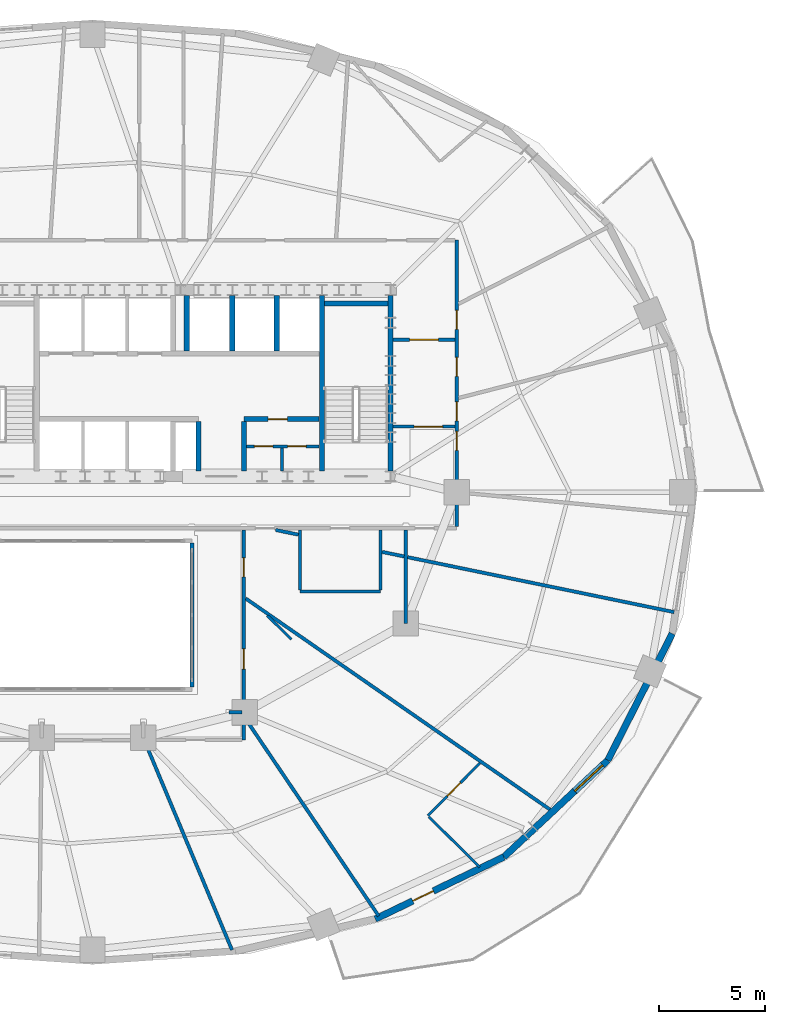
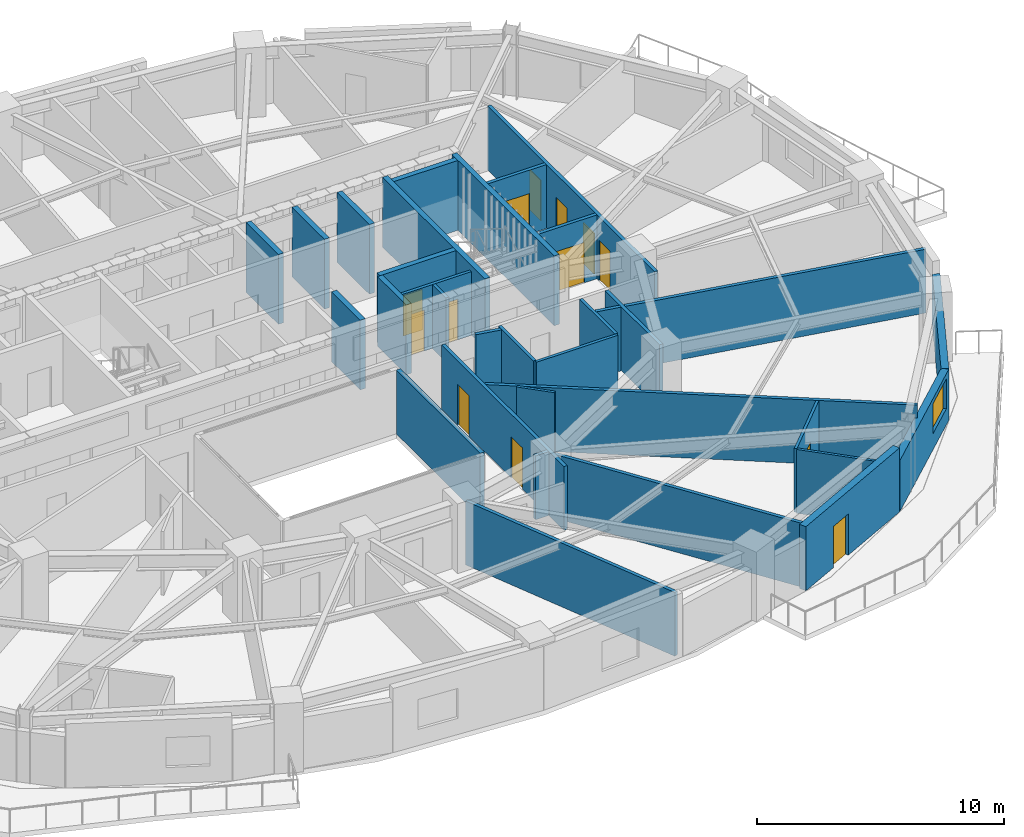
# One storey, part 9 of 14: 33 walls, 13 doors, 1 window, 14 openings.
"""IFC4 building model written with IfcOpenShell, lengths in metres."""

from ifc_helpers import new_model, si_unit, direction, frame, frame_2d, origin, place, context, subcontext, project, spatial, rectangle, extrude, material, layer, layer_set, type_object, element, fill, save


model = new_model("IFC4")

# Units and contexts
model_context = context("Model", 3, precision=1e-05, world=origin(), true_north=direction((0.0, 1.0)))
body_context = subcontext(model_context, "Body", "Model", "MODEL_VIEW")
ifc_project = project(units=[si_unit("LENGTHUNIT", "METRE"), si_unit("AREAUNIT", "SQUARE_METRE"), si_unit("VOLUMEUNIT", "CUBIC_METRE"), si_unit("PLANEANGLEUNIT", "RADIAN"), si_unit("MASSUNIT", "GRAM", prefix="KILO")], contexts=[model_context])

# Site, building, storey
site_placement = place(None, origin())
site = spatial("IfcSite", under=ifc_project, at=site_placement, CompositionType="ELEMENT")
building_placement = place(site_placement, origin())
building = spatial("IfcBuilding", under=site, at=building_placement, Name="Haldorwick Loom Tower", CompositionType="ELEMENT")
storey_placement = place(building_placement, frame((0.0, 0.0, 102.5)))
storey = spatial("IfcBuildingStorey", under=building, at=storey_placement, Name="L27", CompositionType="ELEMENT", Elevation=102.5)

# Wall, opening, door
ifc_material_1 = material(Name="Pressed Clay Face Brick and Insulated Masonry Backup Assembly", Category="masonry")
ifc_layer_1 = layer(ifc_material_1, 0.320068359375, Name="Pressed Clay Face Brick and Insulated Masonry Backup Assembly", Category="masonry")
ifc_layer_set_1 = layer_set([ifc_layer_1], Name="Pressed Clay Face Brick and Insulated Masonry Backup Assembly")
wall_type_1 = type_object("IfcWallType", Name="ARC-WL-EXT320", PredefinedType="STANDARD", material=ifc_layer_set_1)
wall_1_placement = place(storey_placement, frame((49.352783203125, 5.841552734375, 0.0), z_axis=(0.0, 0.0, 1.0), x_axis=(0.900510094661, 0.434835106004, 0.0)))
wall_1 = element("IfcWall", 1, at=wall_1_placement, inside=storey, type_object=wall_type_1, Name="L27 Brick Pier and Spandrel Wall 21", PredefinedType="STANDARD", context=body_context, shape_type="SweptSolid", body=[
    extrude(rectangle(XDim=6.744873046875, YDim=0.320068359375, at=frame_2d((3.37255859375, 0.0))), origin(), (0.0, 0.0, 1.0), 3.169921875),
])
opening_1_placement = place(wall_1_placement, frame((1.96826171875, 0.0, 0.0)))
opening_1 = element("IfcOpeningElement", 2, at=opening_1_placement, cuts=wall_1, Name="Opening D-BL11", PredefinedType="OPENING", context=body_context, shape_type="SweptSolid", body=[
    extrude(rectangle(XDim=1.080078125, YDim=2.0400390625, at=frame_2d((0.5400390625, 1.02001953125))), frame((0.0, 0.169921875, 0.0), z_axis=(0.0, -1.0, 0.0), x_axis=(1.0, 0.0, 0.0)), (0.0, 0.0, 1.0), 0.340087890625),
])
ifc_material_2 = material(Name="Thermally Broken Anodized Aluminium Curtain Wall Framing", Category="aluminium")
door_type_1 = type_object("IfcDoorType", Name="ARC-DR-BAL110", OperationType="NOTDEFINED", PredefinedType="DOOR", material=ifc_material_2)
door_1_placement = place(opening_1_placement, origin())
door_1 = element("IfcDoor", 3, at=door_1_placement, inside=storey, type_object=door_type_1, Name="L27 Outdoor Terrace Door SLB-L27-BAL_SE", OperationType="SINGLE_SWING_RIGHT", OverallHeight=2.0400390625, OverallWidth=1.080078125, PredefinedType="DOOR", context=body_context, shape_type="SweptSolid", body=[
    extrude(rectangle(XDim=1.080078125, YDim=2.0400390625, at=frame_2d((0.5400390625, 1.02001953125))), frame((0.0, 0.02490234375, 0.0), z_axis=(0.0, -1.0, 0.0), x_axis=(1.0, 0.0, 0.0)), (0.0, 0.0, 1.0), 0.050048828125),
])
fill(opening_1, door_1)

# Wall, opening, window
wall_2_placement = place(storey_placement, frame((55.426513671875, 8.7744140625, 0.0), z_axis=(0.0, 0.0, 1.0), x_axis=(0.732137360086, 0.681157020052, 0.0)))
wall_2 = element("IfcWall", 4, at=wall_2_placement, inside=storey, type_object=wall_type_1, Name="L27 Brick Pier and Spandrel Wall 22", PredefinedType="STANDARD", context=body_context, shape_type="SweptSolid", body=[
    extrude(rectangle(XDim=6.709228515625, YDim=0.320068359375, at=frame_2d((3.3544921875, 0.0))), origin(), (0.0, 0.0, 1.0), 2.529052734375),
])
opening_2_placement = place(wall_2_placement, frame((4.569580078125, 0.0, 0.800048828125)))
opening_2 = element("IfcOpeningElement", 5, at=opening_2_placement, cuts=wall_2, Name="Opening W-01", PredefinedType="OPENING", context=body_context, shape_type="SweptSolid", body=[
    extrude(rectangle(XDim=1.800048828125, YDim=1.47998046875, at=frame_2d((0.89990234375, 0.739990234375))), frame((0.0, 0.169921875, 0.0), z_axis=(0.0, -1.0, 0.0), x_axis=(1.0, 0.0, 0.0)), (0.0, 0.0, 1.0), 0.340087890625),
])
ifc_material_3 = material(Name="Triple-Glazed Low-E Argon Insulated Glazing Unit", Category="glass")
window_type = type_object("IfcWindowType", Name="ARC-WIN-W180", PartitioningType="SINGLE_PANEL", PredefinedType="WINDOW", material=ifc_material_3)
window_placement = place(opening_2_placement, origin())
window = element("IfcWindow", 6, at=window_placement, inside=storey, type_object=window_type, Name="L27 Deep-Set Zone 7A Window 22", OverallHeight=1.47998046875, OverallWidth=1.800048828125, PartitioningType="SINGLE_PANEL", PredefinedType="WINDOW", context=body_context, shape_type="SweptSolid", body=[
    extrude(rectangle(XDim=1.800048828125, YDim=1.47998046875, at=frame_2d((0.89990234375, 0.739990234375))), frame((0.0, 0.030029296875, 0.0), z_axis=(0.0, -1.0, 0.0), x_axis=(1.0, 0.0, 0.0)), (0.0, 0.0, 1.0), 0.06005859375),
])
fill(opening_2, window)

# Wall
wall_3_placement = place(storey_placement, frame((60.338623046875, 13.344482421875, 0.0), z_axis=(0.0, 0.0, 1.0), x_axis=(0.453374078001, 0.89132033826, 0.0)))
element("IfcWall", 7, at=wall_3_placement, inside=storey, type_object=wall_type_1, Name="L27 Brick Pier and Spandrel Wall 23", PredefinedType="STANDARD", context=body_context, shape_type="SweptSolid", body=[
    extrude(rectangle(XDim=6.709716796875, YDim=0.320068359375, at=frame_2d((3.35498046875, 0.0))), origin(), (0.0, 0.0, 1.0), 2.529052734375),
])

# Wall, openings, doors
ifc_material_4 = material(Name="Fire-Rated Type X Gypsum Stud Assembly EI 60")
ifc_layer_2 = layer(ifc_material_4, 0.159912109375, Name="Fire-Rated Type X Gypsum Stud Assembly EI 60")
ifc_layer_set_2 = layer_set([ifc_layer_2], Name="Fire-Rated Type X Gypsum Stud Assembly EI 60")
wall_type_2 = type_object("IfcWallType", Name="ARC-WL-FIRE160", PredefinedType="PARTITIONING", material=ifc_layer_set_2)
wall_4_placement = place(storey_placement, frame((53.199951171875, 24.383056640625, 0.0), z_axis=(0.0, 0.0, 1.0), x_axis=(0.0, 1.0, 0.0)))
wall_4 = element("IfcWall", 8, at=wall_4_placement, inside=storey, type_object=wall_type_2, Name="L27 Residential Fire Partition L27-CR-E0", PredefinedType="PARTITIONING", context=body_context, shape_type="SweptSolid", body=[
    extrude(rectangle(XDim=13.516845703125, YDim=0.159912109375, at=frame_2d((6.75830078125, 0.0))), origin(), (0.0, 0.0, 1.0), 3.155029296875),
])
opening_3_placement = place(wall_4_placement, frame((3.5908203125, 0.0, 0.0)))
opening_3 = element("IfcOpeningElement", 9, at=opening_3_placement, cuts=wall_4, Name="Opening D-FD60A", PredefinedType="OPENING", context=body_context, shape_type="SweptSolid", body=[
    extrude(rectangle(XDim=0.89990234375, YDim=2.0, at=frame_2d((0.449951171875, 1.0))), frame((0.0, 0.08984375, 0.0), z_axis=(0.0, -1.0, 0.0), x_axis=(1.0, 0.0, 0.0)), (0.0, 0.0, 1.0), 0.179931640625),
])
opening_4_placement = place(wall_4_placement, frame((7.083984375, 0.0, 0.0)))
opening_4 = element("IfcOpeningElement", 10, at=opening_4_placement, cuts=wall_4, Name="Opening D-FD60A", PredefinedType="OPENING", context=body_context, shape_type="SweptSolid", body=[
    extrude(rectangle(XDim=0.89990234375, YDim=2.0, at=frame_2d((0.449951171875, 1.0))), frame((0.0, 0.08984375, 0.0), z_axis=(0.0, -1.0, 0.0), x_axis=(1.0, 0.0, 0.0)), (0.0, 0.0, 1.0), 0.179931640625),
])
opening_5_placement = place(wall_4_placement, frame((9.300048828125, 0.0, 0.0)))
opening_5 = element("IfcOpeningElement", 11, at=opening_5_placement, cuts=wall_4, Name="Opening D-FD60A", PredefinedType="OPENING", context=body_context, shape_type="SweptSolid", body=[
    extrude(rectangle(XDim=0.89990234375, YDim=2.0, at=frame_2d((0.449951171875, 1.0))), frame((0.0, 0.08984375, 0.0), z_axis=(0.0, -1.0, 0.0), x_axis=(1.0, 0.0, 0.0)), (0.0, 0.0, 1.0), 0.179931640625),
])
opening_6_placement = place(wall_4_placement, frame((4.97900390625, 0.0, 0.0)))
opening_6 = element("IfcOpeningElement", 12, at=opening_6_placement, cuts=wall_4, Name="Opening D-FD60A", PredefinedType="OPENING", context=body_context, shape_type="SweptSolid", body=[
    extrude(rectangle(XDim=0.89990234375, YDim=2.0, at=frame_2d((0.449951171875, 1.0))), frame((0.0, 0.08984375, 0.0), z_axis=(0.0, -1.0, 0.0), x_axis=(1.0, 0.0, 0.0)), (0.0, 0.0, 1.0), 0.179931640625),
])
ifc_material_5 = material(Name="Hollow Steel Fire Door Assembly", Category="steel")
door_type_2 = type_object("IfcDoorType", Name="ARC-DR-FD60-90", OperationType="NOTDEFINED", PredefinedType="DOOR", material=ifc_material_5)
door_2_placement = place(opening_3_placement, origin())
door_2 = element("IfcDoor", 13, at=door_2_placement, inside=storey, type_object=door_type_2, Name="L27 L27 Central Residential Corridor to Co-Working Open Office 8 Door", OperationType="SINGLE_SWING_RIGHT", OverallHeight=2.0, OverallWidth=0.89990234375, PredefinedType="DOOR", context=body_context, shape_type="SweptSolid", body=[
    extrude(rectangle(XDim=0.89990234375, YDim=2.0, at=frame_2d((0.449951171875, 1.0))), frame((0.0, 0.02490234375, 0.0), z_axis=(0.0, -1.0, 0.0), x_axis=(1.0, 0.0, 0.0)), (0.0, 0.0, 1.0), 0.050048828125),
])
fill(opening_3, door_2)
door_3_placement = place(opening_4_placement, origin())
door_3 = element("IfcDoor", 14, at=door_3_placement, inside=storey, type_object=door_type_2, Name="L27 L27 East Residential Corridor to Co-Working Open Office 9 Door", OperationType="SINGLE_SWING_LEFT", OverallHeight=2.0, OverallWidth=0.89990234375, PredefinedType="DOOR", context=body_context, shape_type="SweptSolid", body=[
    extrude(rectangle(XDim=0.89990234375, YDim=2.0, at=frame_2d((0.449951171875, 1.0))), frame((0.0, 0.02490234375, 0.0), z_axis=(0.0, -1.0, 0.0), x_axis=(1.0, 0.0, 0.0)), (0.0, 0.0, 1.0), 0.050048828125),
])
fill(opening_4, door_3)
door_4_placement = place(opening_5_placement, origin())
door_4 = element("IfcDoor", 15, at=door_4_placement, inside=storey, type_object=door_type_2, Name="L27 L27 North Residential Corridor to Co-Working Open Office 9 Door", OperationType="SINGLE_SWING_LEFT", OverallHeight=2.0, OverallWidth=0.89990234375, PredefinedType="DOOR", context=body_context, shape_type="SweptSolid", body=[
    extrude(rectangle(XDim=0.89990234375, YDim=2.0, at=frame_2d((0.449951171875, 1.0))), frame((0.0, 0.02490234375, 0.0), z_axis=(0.0, -1.0, 0.0), x_axis=(1.0, 0.0, 0.0)), (0.0, 0.0, 1.0), 0.050048828125),
])
fill(opening_5, door_4)
door_5_placement = place(opening_6_placement, origin())
door_5 = element("IfcDoor", 16, at=door_5_placement, inside=storey, type_object=door_type_2, Name="L27 L27 East Residential Corridor to Co-Working Open Office 8 Door", OperationType="SINGLE_SWING_RIGHT", OverallHeight=2.0, OverallWidth=0.89990234375, PredefinedType="DOOR", context=body_context, shape_type="SweptSolid", body=[
    extrude(rectangle(XDim=0.89990234375, YDim=2.0, at=frame_2d((0.449951171875, 1.0))), frame((0.0, 0.02490234375, 0.0), z_axis=(0.0, -1.0, 0.0), x_axis=(1.0, 0.0, 0.0)), (0.0, 0.0, 1.0), 0.050048828125),
])
fill(opening_6, door_5)

# Wall, opening, door
wall_5_placement = place(storey_placement, frame((50.193115234375, 29.10009765625, 0.0), z_axis=(0.0, 0.0, 1.0), x_axis=(1.0, 0.0, 0.0)))
wall_5 = element("IfcWall", 17, at=wall_5_placement, inside=storey, type_object=wall_type_2, Name="L27 Residential Fire Partition L27-CR-ESJ", PredefinedType="PARTITIONING", context=body_context, shape_type="SweptSolid", body=[
    extrude(rectangle(XDim=2.923828125, YDim=0.159912109375, at=frame_2d((1.4619140625, 0.0))), origin(), (0.0, 0.0, 1.0), 3.155029296875),
])
opening_7_placement = place(wall_5_placement, frame((0.99560546875, 0.0, 0.0)))
opening_7 = element("IfcOpeningElement", 18, at=opening_7_placement, cuts=wall_5, Name="Opening D-CR15", PredefinedType="OPENING", context=body_context, shape_type="SweptSolid", body=[
    extrude(rectangle(XDim=1.35009765625, YDim=2.0, at=frame_2d((0.675048828125, 1.0))), frame((0.0, 0.08984375, 0.0), z_axis=(0.0, -1.0, 0.0), x_axis=(1.0, 0.0, 0.0)), (0.0, 0.0, 1.0), 0.179931640625),
])
ifc_material_6 = material(Name="Thermally Broken Anodized Aluminium and Tempered Glass", Category="aluminium")
door_type_3 = type_object("IfcDoorType", Name="ARC-DR-COR150", OperationType="NOTDEFINED", PredefinedType="DOOR", material=ifc_material_6)
door_6_placement = place(opening_7_placement, origin())
door_6 = element("IfcDoor", 19, at=door_6_placement, inside=storey, type_object=door_type_3, Name="L27 L27 East Residential Corridor to L27 Central Residential Corridor Do", OperationType="DOUBLE_DOOR_SINGLE_SWING", OverallHeight=2.0, OverallWidth=1.35009765625, PredefinedType="DOOR", context=body_context, shape_type="SweptSolid", body=[
    extrude(rectangle(XDim=1.35009765625, YDim=2.0, at=frame_2d((0.675048828125, 1.0))), frame((0.0, 0.02490234375, 0.0), z_axis=(0.0, -1.0, 0.0), x_axis=(1.0, 0.0, 0.0)), (0.0, 0.0, 1.0), 0.050048828125),
])
fill(opening_7, door_6)

wall_6_placement = place(storey_placement, frame((50.193115234375, 33.199951171875, 0.0), z_axis=(0.0, 0.0, 1.0), x_axis=(1.0, 0.0, 0.0)))
wall_6 = element("IfcWall", 20, at=wall_6_placement, inside=storey, type_object=wall_type_2, Name="L27 Residential Fire Partition L27-CR-ENJ", PredefinedType="PARTITIONING", context=body_context, shape_type="SweptSolid", body=[
    extrude(rectangle(XDim=2.923828125, YDim=0.159912109375, at=frame_2d((1.4619140625, 0.0))), origin(), (0.0, 0.0, 1.0), 3.155029296875),
])
opening_8_placement = place(wall_6_placement, frame((0.787109375, 0.0, 0.0)))
opening_8 = element("IfcOpeningElement", 21, at=opening_8_placement, cuts=wall_6, Name="Opening D-CR15", PredefinedType="OPENING", context=body_context, shape_type="SweptSolid", body=[
    extrude(rectangle(XDim=1.35009765625, YDim=2.0, at=frame_2d((0.675048828125, 1.0))), frame((0.0, 0.08984375, 0.0), z_axis=(0.0, -1.0, 0.0), x_axis=(1.0, 0.0, 0.0)), (0.0, 0.0, 1.0), 0.179931640625),
])
door_7_placement = place(opening_8_placement, origin())
door_7 = element("IfcDoor", 22, at=door_7_placement, inside=storey, type_object=door_type_3, Name="L27 L27 North Residential Corridor to L27 East Residential Corridor Door", OperationType="DOUBLE_DOOR_SINGLE_SWING", OverallHeight=2.0, OverallWidth=1.35009765625, PredefinedType="DOOR", context=body_context, shape_type="SweptSolid", body=[
    extrude(rectangle(XDim=1.35009765625, YDim=2.0, at=frame_2d((0.675048828125, 1.0))), frame((0.0, 0.02490234375, 0.0), z_axis=(0.0, -1.0, 0.0), x_axis=(1.0, 0.0, 0.0)), (0.0, 0.0, 1.0), 0.050048828125),
])
fill(opening_8, door_7)

# Wall, openings, doors
wall_7_placement = place(storey_placement, frame((43.14990234375, 14.300048828125, 0.0), z_axis=(0.0, 0.0, 1.0), x_axis=(0.0, 1.0, 0.0)))
wall_7 = element("IfcWall", 23, at=wall_7_placement, inside=storey, type_object=wall_type_2, Name="L27 Residential Fire Partition L27-CR-AE", PredefinedType="PARTITIONING", context=body_context, shape_type="SweptSolid", body=[
    extrude(rectangle(XDim=9.9169921875, YDim=0.159912109375, at=frame_2d((4.95849609375, 0.0))), origin(), (0.0, 0.0, 1.0), 3.155029296875),
])
opening_9_placement = place(wall_7_placement, frame((3.349853515625, 0.0, 0.0)))
opening_9 = element("IfcOpeningElement", 24, at=opening_9_placement, cuts=wall_7, Name="Opening D-FL95", PredefinedType="OPENING", context=body_context, shape_type="SweptSolid", body=[
    extrude(rectangle(XDim=0.949951171875, YDim=2.0400390625, at=frame_2d((0.47509765625, 1.02001953125))), frame((0.0, 0.08984375, 0.0), z_axis=(0.0, -1.0, 0.0), x_axis=(1.0, 0.0, 0.0)), (0.0, 0.0, 1.0), 0.179931640625),
])
opening_10_placement = place(wall_7_placement, frame((7.7041015625, 0.0, 0.0)))
opening_10 = element("IfcOpeningElement", 25, at=opening_10_placement, cuts=wall_7, Name="Opening D-FD60A", PredefinedType="OPENING", context=body_context, shape_type="SweptSolid", body=[
    extrude(rectangle(XDim=0.89990234375, YDim=2.0, at=frame_2d((0.449951171875, 1.0))), frame((0.0, 0.08984375, 0.0), z_axis=(0.0, -1.0, 0.0), x_axis=(1.0, 0.0, 0.0)), (0.0, 0.0, 1.0), 0.179931640625),
])
door_8_placement = place(opening_10_placement, origin())
door_8 = element("IfcDoor", 26, at=door_8_placement, inside=storey, type_object=door_type_2, Name="L27 L27 South Atrium Corridor to Co-Working Open Office 15 Door", OperationType="SINGLE_SWING_LEFT", OverallHeight=2.0, OverallWidth=0.89990234375, PredefinedType="DOOR", context=body_context, shape_type="SweptSolid", body=[
    extrude(rectangle(XDim=0.89990234375, YDim=2.0, at=frame_2d((0.449951171875, 1.0))), frame((0.0, 0.02490234375, 0.0), z_axis=(0.0, -1.0, 0.0), x_axis=(1.0, 0.0, 0.0)), (0.0, 0.0, 1.0), 0.050048828125),
])
fill(opening_10, door_8)
ifc_material_7 = material(Name="Solid Core Birch Architectural Door")
door_type_4 = type_object("IfcDoorType", Name="ARC-DR-FLAT95", OperationType="NOTDEFINED", PredefinedType="DOOR", material=ifc_material_7)
door_9_placement = place(opening_9_placement, origin())
door_9 = element("IfcDoor", 27, at=door_9_placement, inside=storey, type_object=door_type_4, Name="L27 L27 South Atrium Corridor to Unit 27N Kitchen and Studio Living Room", OperationType="SINGLE_SWING_LEFT", OverallHeight=2.0400390625, OverallWidth=0.949951171875, PredefinedType="DOOR", context=body_context, shape_type="SweptSolid", body=[
    extrude(rectangle(XDim=0.949951171875, YDim=2.0400390625, at=frame_2d((0.47509765625, 1.02001953125))), frame((0.0, 0.02490234375, 0.0), z_axis=(0.0, -1.0, 0.0), x_axis=(1.0, 0.0, 0.0)), (0.0, 0.0, 1.0), 0.050048828125),
])
fill(opening_9, door_9)

# Walls
wall_8_placement = place(storey_placement, frame((38.4765625, 14.217041015625, 0.0), z_axis=(0.0, 0.0, 1.0), x_axis=(0.385727114359, -0.922612916259, 0.0)))
element("IfcWall", 28, at=wall_8_placement, inside=storey, type_object=wall_type_2, Name="L27 Residential Fire Partition L27-ICR-05", PredefinedType="PARTITIONING", context=body_context, shape_type="SweptSolid", body=[
    extrude(rectangle(XDim=10.6630859375, YDim=0.159912109375, at=frame_2d((5.33154296875, 0.0))), origin(), (0.0, 0.0, 1.0), 3.155029296875),
])
wall_9_placement = place(storey_placement, frame((50.800048828125, 24.217041015625, 0.0), z_axis=(0.0, 0.0, 1.0), x_axis=(0.0, -1.0, 0.0)))
element("IfcWall", 29, at=wall_9_placement, inside=storey, type_object=wall_type_2, Name="L27 Residential Fire Partition L27-ICA-02", PredefinedType="PARTITIONING", context=body_context, shape_type="SweptSolid", body=[
    extrude(rectangle(XDim=4.4169921875, YDim=0.159912109375, at=frame_2d((2.20849609375, 0.0))), origin(), (0.0, 0.0, 1.0), 3.155029296875),
])
wall_10_placement = place(storey_placement, frame((42.449951171875, 15.60009765625, 0.0), z_axis=(0.0, 0.0, 1.0), x_axis=(1.0, 0.0, 0.0)))
element("IfcWall", 30, at=wall_10_placement, inside=storey, type_object=wall_type_2, Name="L27 Residential Fire Partition L27-ICA-03", PredefinedType="PARTITIONING", context=body_context, shape_type="SweptSolid", body=[
    extrude(rectangle(XDim=0.616943359375, YDim=0.159912109375, at=frame_2d((0.30859375, 0.0))), origin(), (0.0, 0.0, 1.0), 3.155029296875),
])
wall_11_placement = place(storey_placement, frame((43.23291015625, 20.982421875, 0.0), z_axis=(0.0, 0.0, 1.0), x_axis=(0.821645974987, -0.569998150689, 0.0)))
element("IfcWall", 31, at=wall_11_placement, inside=storey, type_object=wall_type_2, Name="L27 Suite Split Wall", PredefinedType="PARTITIONING", context=body_context, shape_type="SweptSolid", body=[
    extrude(rectangle(XDim=17.583251953125, YDim=0.159912109375, at=frame_2d((8.79150390625, 0.0))), origin(), (0.0, 0.0, 1.0), 3.155029296875),
])
wall_12_placement = place(storey_placement, frame((43.23291015625, 15.2900390625, 0.0), z_axis=(0.0, 0.0, 1.0), x_axis=(0.559691064991, -0.828701340514, 0.0)))
element("IfcWall", 32, at=wall_12_placement, inside=storey, type_object=wall_type_2, Name="L27 Suite Split Wall", PredefinedType="PARTITIONING", context=body_context, shape_type="SweptSolid", body=[
    extrude(rectangle(XDim=11.220947265625, YDim=0.159912109375, at=frame_2d((5.6103515625, 0.0))), origin(), (0.0, 0.0, 1.0), 3.155029296875),
])
wall_13_placement = place(storey_placement, frame((44.6474609375, 24.217041015625, 0.0), z_axis=(0.0, 0.0, 1.0), x_axis=(0.9793875082, -0.201990368041, 0.0)))
element("IfcWall", 33, at=wall_13_placement, inside=storey, type_object=wall_type_2, Name="L27 Suite Split Wall", PredefinedType="PARTITIONING", context=body_context, shape_type="SweptSolid", body=[
    extrude(rectangle(XDim=1.102294921875, YDim=0.159912109375, at=frame_2d((0.55126953125, 0.0))), origin(), (0.0, 0.0, 1.0), 3.155029296875),
])
wall_14_placement = place(storey_placement, frame((49.673095703125, 23.1806640625, 0.0), z_axis=(0.0, 0.0, 1.0), x_axis=(0.979427759859, -0.201795102066, 0.0)))
element("IfcWall", 34, at=wall_14_placement, inside=storey, type_object=wall_type_2, Name="L27 Suite Split Wall", PredefinedType="PARTITIONING", context=body_context, shape_type="SweptSolid", body=[
    extrude(rectangle(XDim=1.06591796875, YDim=0.159912109375, at=frame_2d((0.532958984375, 0.0))), origin(), (0.0, 0.0, 1.0), 3.155029296875),
])
wall_15_placement = place(storey_placement, frame((50.883056640625, 22.931396484375, 0.0), z_axis=(0.0, 0.0, 1.0), x_axis=(0.979394861214, -0.201954712318, 0.0)))
element("IfcWall", 35, at=wall_15_placement, inside=storey, type_object=wall_type_2, Name="L27 Suite Split Wall", PredefinedType="PARTITIONING", context=body_context, shape_type="SweptSolid", body=[
    extrude(rectangle(XDim=12.8505859375, YDim=0.159912109375, at=frame_2d((6.42529296875, 0.0))), origin(), (0.0, 0.0, 1.0), 3.155029296875),
])
ifc_material_8 = material(Name="Fire-Rated Type X Gypsum Stud Assembly EI 120")
ifc_layer_3 = layer(ifc_material_8, 0.199951171875, Name="Fire-Rated Type X Gypsum Stud Assembly EI 120")
ifc_layer_set_3 = layer_set([ifc_layer_3], Name="Fire-Rated Type X Gypsum Stud Assembly EI 120")
wall_type_3 = type_object("IfcWallType", Name="ARC-WL-FIRE200", PredefinedType="PARTITIONING", material=ifc_layer_set_3)
wall_16_placement = place(storey_placement, frame((40.699951171875, 23.596923828125, 0.0), z_axis=(0.0, 0.0, 1.0), x_axis=(0.0, -1.0, 0.0)))
element("IfcWall", 36, at=wall_16_placement, inside=storey, type_object=wall_type_3, Name="L27 Atrium Fire Enclosure Wall E", PredefinedType="PARTITIONING", context=body_context, shape_type="SweptSolid", body=[
    extrude(rectangle(XDim=6.7939453125, YDim=0.199951171875, at=frame_2d((3.39697265625, 0.0))), origin(), (0.0, 0.0, 1.0), 3.155029296875),
])
ifc_material_9 = material(Name="Acoustic Gypsum Stud Assembly STC 55")
ifc_layer_4 = layer(ifc_material_9, 0.1201171875, Name="Acoustic Gypsum Stud Assembly STC 55")
ifc_layer_set_4 = layer_set([ifc_layer_4], Name="Acoustic Gypsum Stud Assembly STC 55")
wall_type_4 = type_object("IfcWallType", Name="ARC-WL-PART120", PredefinedType="PARTITIONING", material=ifc_layer_set_4)
wall_17_placement = place(storey_placement, frame((44.256103515625, 20.171630859375, 0.0), z_axis=(0.0, 0.0, 1.0), x_axis=(0.711140117088, -0.703050306784, 0.0)))
element("IfcWall", 37, at=wall_17_placement, inside=storey, type_object=wall_type_4, Name="L27 Unit 27N Interior Partition", PredefinedType="PARTITIONING", context=body_context, shape_type="SweptSolid", body=[
    extrude(rectangle(XDim=1.599365234375, YDim=0.1201171875, at=frame_2d((0.7998046875, 0.0))), origin(), (0.0, 0.0, 1.0), 3.155029296875),
])

# Wall, opening, door
wall_18_placement = place(storey_placement, frame((51.836181640625, 10.718017578125, 0.0), z_axis=(0.0, 0.0, 1.0), x_axis=(0.703083561001, 0.711107239627, 0.0)))
wall_18 = element("IfcWall", 38, at=wall_18_placement, inside=storey, type_object=wall_type_4, Name="L27 Unit 27N Interior Partition", PredefinedType="PARTITIONING", context=body_context, shape_type="SweptSolid", body=[
    extrude(rectangle(XDim=3.499267578125, YDim=0.1201171875, at=frame_2d((1.74951171875, 0.0))), origin(), (0.0, 0.0, 1.0), 3.155029296875),
])
opening_11_placement = place(wall_18_placement, frame((1.3095703125, 0.0, 0.0)))
opening_11 = element("IfcOpeningElement", 39, at=opening_11_placement, cuts=wall_18, Name="Opening D-BT88", PredefinedType="OPENING", context=body_context, shape_type="SweptSolid", body=[
    extrude(rectangle(XDim=0.8798828125, YDim=2.02001953125, at=frame_2d((0.43994140625, 1.010009765625))), frame((0.0, 0.070068359375, 0.0), z_axis=(0.0, -1.0, 0.0), x_axis=(1.0, 0.0, 0.0)), (0.0, 0.0, 1.0), 0.14013671875),
])
door_type_5 = type_object("IfcDoorType", Name="ARC-DR-BATH88", OperationType="NOTDEFINED", PredefinedType="DOOR", material=ifc_material_7)
door_10_placement = place(opening_11_placement, origin())
door_10 = element("IfcDoor", 40, at=door_10_placement, inside=storey, type_object=door_type_5, Name="L27 Unit 27N Kitchen and Studio Living Room to Unit 27N Bathroom Door", OperationType="SINGLE_SWING_RIGHT", OverallHeight=2.02001953125, OverallWidth=0.8798828125, PredefinedType="DOOR", context=body_context, shape_type="SweptSolid", body=[
    extrude(rectangle(XDim=0.8798828125, YDim=2.02001953125, at=frame_2d((0.43994140625, 1.010009765625))), frame((0.0, 0.02490234375, 0.0), z_axis=(0.0, -1.0, 0.0), x_axis=(1.0, 0.0, 0.0)), (0.0, 0.0, 1.0), 0.050048828125),
])
fill(opening_11, door_10)

# Wall
wall_19_placement = place(storey_placement, frame((51.881103515625, 10.673583984375, 0.0), z_axis=(0.0, 0.0, 1.0), x_axis=(0.711137831778, -0.703052618382, 0.0)))
element("IfcWall", 41, at=wall_19_placement, inside=storey, type_object=wall_type_4, Name="L27 Unit 27N Interior Partition", PredefinedType="PARTITIONING", context=body_context, shape_type="SweptSolid", body=[
    extrude(rectangle(XDim=3.3818359375, YDim=0.1201171875, at=frame_2d((1.69091796875, 0.0))), origin(), (0.0, 0.0, 1.0), 3.155029296875),
])

# Wall, openings, doors
ifc_layer_5 = layer(ifc_material_4, 0.139892578125, Name="Fire-Rated Type X Gypsum Stud Assembly EI 60")
ifc_layer_set_5 = layer_set([ifc_layer_5], Name="Fire-Rated Type X Gypsum Stud Assembly EI 60")
wall_type_5 = type_object("IfcWallType", Name="ARC-WL-PART140", PredefinedType="PARTITIONING", material=ifc_layer_set_5)
wall_20_placement = place(storey_placement, frame((43.27294921875, 28.159912109375, 0.0), z_axis=(0.0, 0.0, 1.0), x_axis=(1.0, 0.0, 0.0)))
wall_20 = element("IfcWall", 42, at=wall_20_placement, inside=storey, type_object=wall_type_5, Name="L27 Telecom Partition", PredefinedType="PARTITIONING", context=body_context, shape_type="SweptSolid", body=[
    extrude(rectangle(XDim=3.43408203125, YDim=0.139892578125, at=frame_2d((1.717041015625, 0.0))), origin(), (0.0, 0.0, 1.0), 3.155029296875),
])
opening_12_placement = place(wall_20_placement, frame((0.366943359375, 0.0, 0.0)))
opening_12 = element("IfcOpeningElement", 43, at=opening_12_placement, cuts=wall_20, Name="Opening D-BT88", PredefinedType="OPENING", context=body_context, shape_type="SweptSolid", body=[
    extrude(rectangle(XDim=0.8798828125, YDim=2.02001953125, at=frame_2d((0.43994140625, 1.010009765625))), frame((0.0, 0.079833984375, 0.0), z_axis=(0.0, -1.0, 0.0), x_axis=(1.0, 0.0, 0.0)), (0.0, 0.0, 1.0), 0.159912109375),
])
opening_13_placement = place(wall_20_placement, frame((1.93701171875, 0.0, 0.0)))
opening_13 = element("IfcOpeningElement", 44, at=opening_13_placement, cuts=wall_20, Name="Opening D-BT88", PredefinedType="OPENING", context=body_context, shape_type="SweptSolid", body=[
    extrude(rectangle(XDim=0.8798828125, YDim=2.02001953125, at=frame_2d((0.43994140625, 1.010009765625))), frame((0.0, 0.079833984375, 0.0), z_axis=(0.0, -1.0, 0.0), x_axis=(1.0, 0.0, 0.0)), (0.0, 0.0, 1.0), 0.159912109375),
])
door_11_placement = place(opening_12_placement, origin())
door_11 = element("IfcDoor", 45, at=door_11_placement, inside=storey, type_object=door_type_5, Name="L27 Telecom Room Door", OperationType="SINGLE_SWING_LEFT", OverallHeight=2.02001953125, OverallWidth=0.8798828125, PredefinedType="DOOR", context=body_context, shape_type="SweptSolid", body=[
    extrude(rectangle(XDim=0.8798828125, YDim=2.02001953125, at=frame_2d((0.43994140625, 1.010009765625))), frame((0.0, 0.02490234375, 0.0), z_axis=(0.0, -1.0, 0.0), x_axis=(1.0, 0.0, 0.0)), (0.0, 0.0, 1.0), 0.050048828125),
])
fill(opening_12, door_11)
door_12_placement = place(opening_13_placement, origin())
door_12 = element("IfcDoor", 46, at=door_12_placement, inside=storey, type_object=door_type_5, Name="L27 Metering Closet Door", OperationType="SINGLE_SWING_RIGHT", OverallHeight=2.02001953125, OverallWidth=0.8798828125, PredefinedType="DOOR", context=body_context, shape_type="SweptSolid", body=[
    extrude(rectangle(XDim=0.8798828125, YDim=2.02001953125, at=frame_2d((0.43994140625, 1.010009765625))), frame((0.0, 0.02490234375, 0.0), z_axis=(0.0, -1.0, 0.0), x_axis=(1.0, 0.0, 0.0)), (0.0, 0.0, 1.0), 0.050048828125),
])
fill(opening_13, door_12)

# Walls
wall_21_placement = place(storey_placement, frame((44.949951171875, 27.0029296875, 0.0), z_axis=(0.0, 0.0, 1.0), x_axis=(0.0, 1.0, 0.0)))
element("IfcWall", 47, at=wall_21_placement, inside=storey, type_object=wall_type_5, Name="L27 Metering Sub-Partition", PredefinedType="PARTITIONING", context=body_context, shape_type="SweptSolid", body=[
    extrude(rectangle(XDim=1.083984375, YDim=0.139892578125, at=frame_2d((0.5419921875, 0.0))), origin(), (0.0, 0.0, 1.0), 3.155029296875),
])
wall_22_placement = place(storey_placement, frame((45.800048828125, 21.300048828125, 0.0), z_axis=(0.0, 0.0, 1.0), x_axis=(1.0, 0.0, 0.0)))
element("IfcWall", 48, at=wall_22_placement, inside=storey, type_object=wall_type_5, Name="L27 Residential Fire Partition L27-CWC-S", PredefinedType="PARTITIONING", context=body_context, shape_type="SweptSolid", body=[
    extrude(rectangle(XDim=3.800048828125, YDim=0.139892578125, at=frame_2d((1.89990234375, 0.0))), origin(), (0.0, 0.0, 1.0), 3.155029296875),
])
for number, where, z_axis, x_axis, name in (
    (49, (45.800048828125, 21.373046875, 0.0), (0.0, 0.0, 1.0), (0.0, 1.0, 0.0), "L27 Residential Fire Partition L27-CWC-W"),
    (50, (49.60009765625, 21.373046875, 0.0), (0.0, 0.0, 1.0), (0.0, 1.0, 0.0), "L27 Residential Fire Partition L27-CWC-E"),
):
    element("IfcWall", number, at=place(storey_placement, frame(where, z_axis=z_axis, x_axis=x_axis)), inside=storey, type_object=wall_type_5, Name=name, PredefinedType="PARTITIONING", context=body_context, shape_type="SweptSolid", body=[
        extrude(rectangle(XDim=2.843994140625, YDim=0.139892578125, at=frame_2d((1.421875, 0.0))), origin(), (0.0, 0.0, 1.0), 3.155029296875),
    ])
ifc_material_10 = material(Name="Concrete C50 (50 MPa)", Category="concrete")
ifc_layer_6 = layer(ifc_material_10, 0.239990234375, Name="Concrete C50 (50 MPa)", Category="concrete")
ifc_layer_set_6 = layer_set([ifc_layer_6], Name="Concrete C50 (50 MPa)")
wall_type_6 = type_object("IfcWallType", Name="STR-WL-SHAFT240", PredefinedType="SHEAR", material=ifc_layer_set_6)
for number, where, z_axis, x_axis, name in (
    (51, (50.070068359375, 27.0029296875, 0.0), (0.0, 0.0, 1.0), (0.0, 1.0, 0.0), "L27 Core Shear Wall E"),
    (52, (46.830078125, 27.0029296875, 0.0), (0.0, 0.0, 1.0), (0.0, 1.0, 0.0), "L27 Core Shear Wall 4"),
):
    element("IfcWall", number, at=place(storey_placement, frame(where, z_axis=z_axis, x_axis=x_axis)), inside=storey, type_object=wall_type_6, Name=name, PredefinedType="SHEAR", context=body_context, shape_type="SweptSolid", body=[
        extrude(rectangle(XDim=8.294189453125, YDim=0.239990234375, at=frame_2d((4.14697265625, 0.0))), origin(), (0.0, 0.0, 1.0), 3.449951171875),
    ])
wall_23_placement = place(storey_placement, frame((46.952880859375, 34.919921875, 0.0), z_axis=(0.0, 0.0, 1.0), x_axis=(1.0, 0.0, 0.0)))
element("IfcWall", 53, at=wall_23_placement, inside=storey, type_object=wall_type_6, Name="L27 Core Shear Wall 4N", PredefinedType="SHEAR", context=body_context, shape_type="SweptSolid", body=[
    extrude(rectangle(XDim=2.994140625, YDim=0.239990234375, at=frame_2d((1.4970703125, 0.0))), origin(), (0.0, 0.0, 1.0), 3.449951171875),
])

# Wall, opening, door
wall_24_placement = place(storey_placement, frame((43.14990234375, 29.449951171875, 0.0), z_axis=(0.0, 0.0, 1.0), x_axis=(1.0, 0.0, 0.0)))
wall_24 = element("IfcWall", 54, at=wall_24_placement, inside=storey, type_object=wall_type_6, Name="L27 Core Shear Wall LS2", PredefinedType="SHEAR", context=body_context, shape_type="SweptSolid", body=[
    extrude(rectangle(XDim=3.55712890625, YDim=0.239990234375, at=frame_2d((1.778564453125, 0.0))), origin(), (0.0, 0.0, 1.0), 3.449951171875),
])
opening_14_placement = place(wall_24_placement, frame((1.14990234375, 0.0, 0.0)))
opening_14 = element("IfcOpeningElement", 55, at=opening_14_placement, cuts=wall_24, Name="Opening D-FD60A", PredefinedType="OPENING", context=body_context, shape_type="SweptSolid", body=[
    extrude(rectangle(XDim=0.89990234375, YDim=2.0, at=frame_2d((0.449951171875, 1.0))), frame((0.0, 0.1298828125, 0.0), z_axis=(0.0, -1.0, 0.0), x_axis=(1.0, 0.0, 0.0)), (0.0, 0.0, 1.0), 0.260009765625),
])
door_13_placement = place(opening_14_placement, origin())
door_13 = element("IfcDoor", 56, at=door_13_placement, inside=storey, type_object=door_type_2, Name="L27 Janitor Closet Door", OperationType="SINGLE_SWING_LEFT", OverallHeight=2.0, OverallWidth=0.89990234375, PredefinedType="DOOR", context=body_context, shape_type="SweptSolid", body=[
    extrude(rectangle(XDim=0.89990234375, YDim=2.0, at=frame_2d((0.449951171875, 1.0))), frame((0.0, 0.02490234375, 0.0), z_axis=(0.0, -1.0, 0.0), x_axis=(1.0, 0.0, 0.0)), (0.0, 0.0, 1.0), 0.050048828125),
])
fill(opening_14, door_13)

# Walls
for number, where, z_axis, x_axis, name in (
    (57, (41.0, 27.0029296875, 0.0), (0.0, 0.0, 1.0), (0.0, 1.0, 0.0), "L27 Core Shear Wall THW"),
    (58, (43.14990234375, 27.0029296875, 0.0), (0.0, 0.0, 1.0), (0.0, 1.0, 0.0), "L27 Core Shear Wall THE"),
):
    element("IfcWall", number, at=place(storey_placement, frame(where, z_axis=z_axis, x_axis=x_axis)), inside=storey, type_object=wall_type_6, Name=name, PredefinedType="SHEAR", context=body_context, shape_type="SweptSolid", body=[
        extrude(rectangle(XDim=2.323974609375, YDim=0.239990234375, at=frame_2d((1.162109375, 0.0))), origin(), (0.0, 0.0, 1.0), 3.449951171875),
    ])
for number, where, z_axis, x_axis, name in (
    (59, (40.449951171875, 32.673095703125, 0.0), (0.0, 0.0, 1.0), (0.0, 1.0, 0.0), "L27 Core Shear Wall H0"),
    (60, (42.60009765625, 32.673095703125, 0.0), (0.0, 0.0, 1.0), (0.0, 1.0, 0.0), "L27 Core Shear Wall H1"),
    (61, (44.699951171875, 32.673095703125, 0.0), (0.0, 0.0, 1.0), (0.0, 1.0, 0.0), "L27 Core Shear Wall H2"),
):
    element("IfcWall", number, at=place(storey_placement, frame(where, z_axis=z_axis, x_axis=x_axis)), inside=storey, type_object=wall_type_6, Name=name, PredefinedType="SHEAR", context=body_context, shape_type="SweptSolid", body=[
        extrude(rectangle(XDim=2.6240234375, YDim=0.239990234375, at=frame_2d((1.31201171875, 0.0))), origin(), (0.0, 0.0, 1.0), 3.449951171875),
    ])

save(model, "model.ifc")
